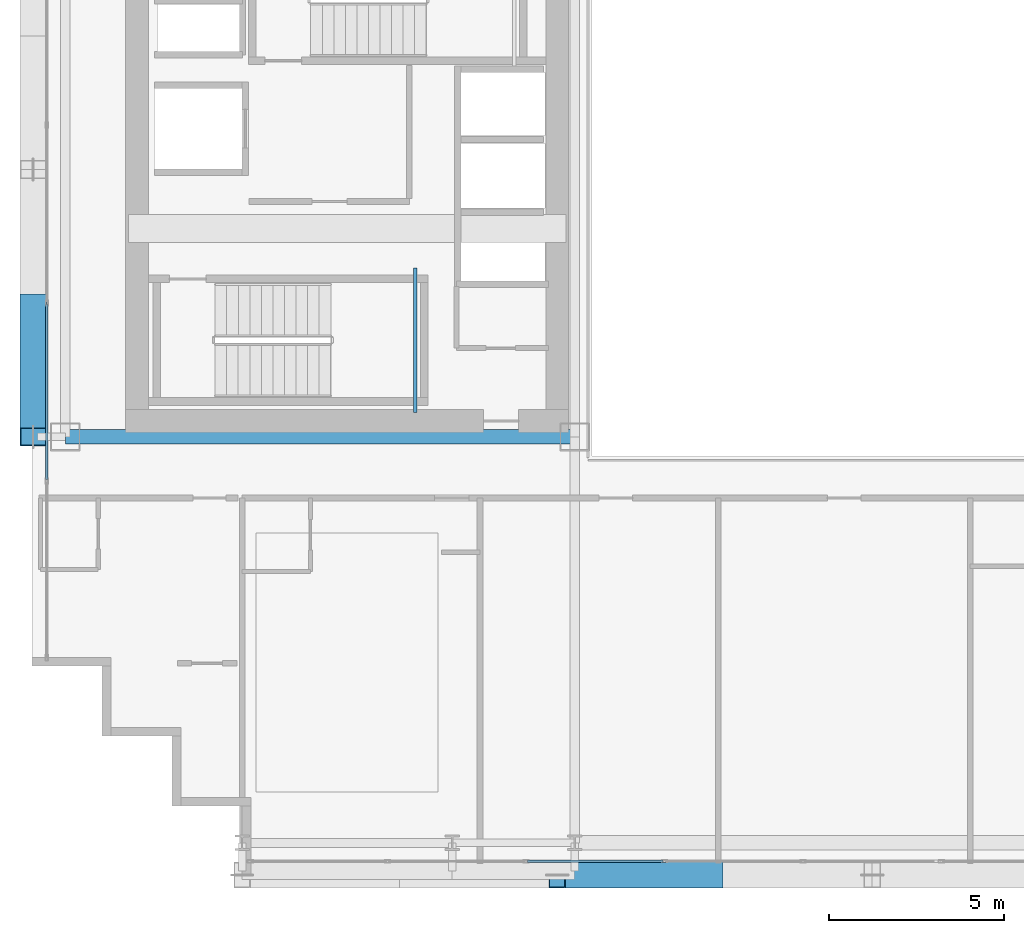
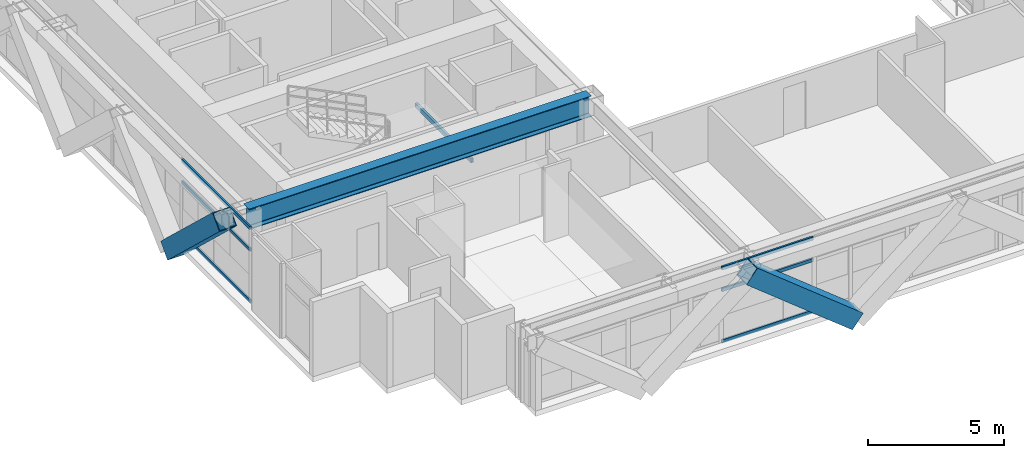
# One storey, part 4 of 35: 8 members, 2 beams, 2 elements without a shape of their own.
"""IFC4 building model written with IfcOpenShell, lengths in metres."""

from ifc_helpers import new_model, si_unit, direction, frame, origin, origin_2d, place, context, subcontext, project, spatial, hollow_rectangle, i_section, extrude, source, transform, mapped, material, layer, layer_set, material_profile, profile_set, type_object, element, aggregate, save


model = new_model("IFC4")

# Units and contexts
model_context = context("Model", 3, precision=1e-05, world=origin(), true_north=direction((0.0, 1.0)))
body_context = subcontext(model_context, "Body", "Model", "MODEL_VIEW")
ifc_project = project(units=[si_unit("LENGTHUNIT", "METRE"), si_unit("AREAUNIT", "SQUARE_METRE"), si_unit("VOLUMEUNIT", "CUBIC_METRE"), si_unit("PLANEANGLEUNIT", "RADIAN"), si_unit("MASSUNIT", "GRAM", prefix="KILO")], contexts=[model_context])

# Site, building, storey
site_placement = place(None, origin())
site = spatial("IfcSite", under=ifc_project, at=site_placement, CompositionType="ELEMENT")
building_placement = place(site_placement, origin())
building = spatial("IfcBuilding", under=site, at=building_placement, Name="Ocotamira Hotel", CompositionType="ELEMENT")
storey_placement = place(building_placement, frame((0.0, 0.0, 144.0)))
storey = spatial("IfcBuildingStorey", under=building, at=storey_placement, Name="L36", CompositionType="ELEMENT", Elevation=144.0)

# Beams
ifc_material_1 = material(Name="Steel ASTM A500 Grade C", Category="steel")
ifc_material_profile_1 = material_profile(ifc_material_1, hollow_rectangle(XDim=0.10009765625, YDim=0.199951171875, WallThickness=0.008056640625, at=origin_2d()), Name="HSS200X100X8")
ifc_profile_set_1 = profile_set([ifc_material_profile_1], Name="Steel ASTM A500 Grade C")
beam_type_1 = type_object("IfcBeamType", Name="BM-STLDG-HSS200", PredefinedType="BEAM", material=ifc_profile_set_1)
shared_shape_1 = source(origin(), body_context, "Body", "SweptSolid", [
    extrude(hollow_rectangle(XDim=0.10009765625, YDim=0.199951171875, WallThickness=0.008056640625, at=origin_2d()), origin(), (0.0, 0.0, 1.0), 4.1201171875),
])
beam_1_placement = place(storey_placement, frame((18.949951171875, 15.25, 1.5), z_axis=(0.0, 1.0, 0.0), x_axis=(-1.0, 0.0, 0.0)))
element("IfcBeam", 1, at=beam_1_placement, inside=storey, type_object=beam_type_1, Name="L36 Stair ST-1 Landing Bearer 1", PredefinedType="BEAM", context=body_context, shape_type="MappedRepresentation", body=[
    mapped(shared_shape_1, transform((0.0, 0.0, 0.0), scale=1.0)),
])
ifc_material_2 = material(Name="Steel ASTM A992 Grade 50", Category="steel")
ifc_material_profile_2 = material_profile(ifc_material_2, i_section(OverallWidth=0.41796875, OverallDepth=0.927001953125, WebThickness=0.019287109375, FlangeThickness=0.031982421875, FilletRadius=0.02392578125, at=origin_2d()), Name="W36X231")
ifc_profile_set_2 = profile_set([ifc_material_profile_2], Name="Steel ASTM A992 Grade 50")
beam_type_2 = type_object("IfcBeamType", Name="BM-GIRD-W36X231", PredefinedType="BEAM", material=ifc_profile_set_2)
shared_shape_2 = source(origin(), body_context, "Body", "SweptSolid", [
    extrude(i_section(OverallWidth=0.41796875, OverallDepth=0.927001953125, WebThickness=0.019287109375, FlangeThickness=0.031982421875, FilletRadius=0.02392578125, at=origin_2d()), origin(), (0.0, 0.0, 1.0), 14.550048828125),
])
beam_2_placement = place(storey_placement, frame((8.949951171875, 14.550048828125, 2.896484375), z_axis=(1.0, 0.0, 0.0), x_axis=(0.0, 1.0, 0.0)))
element("IfcBeam", 2, at=beam_2_placement, inside=storey, type_object=beam_type_2, Name="L36 Girder Y14.55 X8.95-23.5", PredefinedType="BEAM", context=body_context, shape_type="MappedRepresentation", body=[
    mapped(shared_shape_2, transform((0.0, 0.0, 0.0), scale=1.0)),
])

# Members
ifc_material_3 = material(Name="Pale-metal coated steel ASTM A913 Grade 65", Category="steel")
ifc_material_profile_3 = material_profile(ifc_material_3, hollow_rectangle(XDim=0.75, YDim=0.75, WallThickness=0.028076171875, at=origin_2d()), Name="BOX750X750X28")
ifc_profile_set_3 = profile_set([ifc_material_profile_3], Name="Pale-metal coated steel ASTM A913 Grade 65")
member_type_1 = type_object("IfcMemberType", Name="MEM-EXO-BOX750", PredefinedType="BRACE", material=ifc_profile_set_3)
shared_shape_3 = source(origin(), body_context, "Body", "SweptSolid", [
    extrude(hollow_rectangle(XDim=0.75, YDim=0.75, WallThickness=0.028076171875, at=origin_2d()), origin(), (0.0, 0.0, 1.0), 5.762939453125),
])
member_1_placement = place(storey_placement, frame((27.5, 2.030029296875, -0.489990234375), z_axis=(-0.780860543151, 0.0, 0.624705380279), x_axis=(0.0, -1.0, 0.0)))
element("IfcMember", 3, at=member_1_placement, inside=storey, type_object=member_type_1, Name="L36 Exoskeleton Diagrid S1.1", PredefinedType="BRACE", context=body_context, shape_type="MappedRepresentation", body=[
    mapped(shared_shape_3, transform((0.0, 0.0, 0.0), scale=1.0)),
])
shared_shape_4 = source(origin(), body_context, "Body", "SweptSolid", [
    extrude(hollow_rectangle(XDim=0.75, YDim=0.75, WallThickness=0.028076171875, at=origin_2d()), origin(), (0.0, 0.0, 1.0), 5.24658203125),
])
member_2_placement = place(storey_placement, frame((8.030029296875, 18.36669921875, -0.489990234375), z_axis=(0.0, -0.727442733726, 0.686168397078), x_axis=(1.0, 0.0, 0.0)))
element("IfcMember", 4, at=member_2_placement, inside=storey, type_object=member_type_1, Name="L36 Exoskeleton Diagrid W0.1", PredefinedType="BRACE", context=body_context, shape_type="MappedRepresentation", body=[
    mapped(shared_shape_4, transform((0.0, 0.0, 0.0), scale=1.0)),
])

# Curtain wall, members
ifc_material_4 = material(Name="Anodised pale-metal aluminium and solar glass", Category="aluminium")
ifc_layer = layer(ifc_material_4, 0.179931640625)
ifc_layer_set = layer_set([ifc_layer], Name="Anodised pale-metal aluminium and solar glass")
curtain_wall_type = type_object("IfcCurtainWallType", Name="CW-SYS3-Z2", PredefinedType="NOTDEFINED", material=ifc_layer_set)
curtain_wall_1_placement = place(storey_placement, origin())
curtain_wall_1 = element("IfcCurtainWall", 5, at=curtain_wall_1_placement, inside=storey, type_object=curtain_wall_type, Name="L36 Curtain Wall CW-3 CW-L36-S1", PredefinedType="NOTDEFINED")
ifc_material_5 = material(Name="Anodised pale-metal aluminium 6063-T6", Category="aluminium")
ifc_material_profile_4 = material_profile(ifc_material_5, hollow_rectangle(XDim=0.074951171875, YDim=0.14990234375, WallThickness=0.006103515625, at=origin_2d()), Name="HSS150X75X6")
ifc_profile_set_4 = profile_set([ifc_material_profile_4], Name="Anodised pale-metal aluminium 6063-T6")
member_type_2 = type_object("IfcMemberType", Name="CWT-150X75", PredefinedType="USERDEFINED", material=ifc_profile_set_4)
shared_shape_5 = source(origin(), body_context, "Body", "SweptSolid", [
    extrude(hollow_rectangle(XDim=0.074951171875, YDim=0.14990234375, WallThickness=0.006103515625, at=origin_2d()), origin(), (0.0, 0.0, 1.0), 3.87548828125),
])
member_3_placement = place(storey_placement, frame((22.151123046875, 2.419921875, 0.03759765625), z_axis=(1.0, 0.0, 0.0), x_axis=(0.0, 1.0, 0.0)))
member_3 = element("IfcMember", 6, at=member_3_placement, type_object=member_type_2, Name="CW-3 transom 3.1", ObjectType="TRANSOM", PredefinedType="USERDEFINED", context=body_context, shape_type="MappedRepresentation", body=[
    mapped(shared_shape_5, transform((0.0, 0.0, 0.0), scale=1.0)),
])
member_4_placement = place(storey_placement, frame((22.151123046875, 2.419921875, 2.35009765625), z_axis=(1.0, 0.0, 0.0), x_axis=(0.0, 1.0, 0.0)))
member_4 = element("IfcMember", 7, at=member_4_placement, type_object=member_type_2, Name="CW-3 transom 3.2", ObjectType="TRANSOM", PredefinedType="USERDEFINED", context=body_context, shape_type="MappedRepresentation", body=[
    mapped(shared_shape_5, transform((0.0, 0.0, 0.0), scale=1.0)),
])
member_5_placement = place(storey_placement, frame((22.151123046875, 2.419921875, 3.322509765625), z_axis=(1.0, 0.0, 0.0), x_axis=(0.0, 1.0, 0.0)))
member_5 = element("IfcMember", 8, at=member_5_placement, type_object=member_type_2, Name="CW-3 transom 3.3", ObjectType="TRANSOM", PredefinedType="USERDEFINED", context=body_context, shape_type="MappedRepresentation", body=[
    mapped(shared_shape_5, transform((0.0, 0.0, 0.0), scale=1.0)),
])
aggregate(curtain_wall_1, [member_3, member_4, member_5])

curtain_wall_2_placement = place(storey_placement, origin())
curtain_wall_2 = element("IfcCurtainWall", 9, at=curtain_wall_2_placement, inside=storey, type_object=curtain_wall_type, Name="L36 Curtain Wall CW-3 CW-L36-W", PredefinedType="NOTDEFINED")
shared_shape_6 = source(origin(), body_context, "Body", "SweptSolid", [
    extrude(hollow_rectangle(XDim=0.074951171875, YDim=0.14990234375, WallThickness=0.006103515625, at=origin_2d()), origin(), (0.0, 0.0, 1.0), 5.005859375),
])
member_6_placement = place(storey_placement, frame((8.419921875, 13.32568359375, 0.03759765625), z_axis=(0.0, 1.0, 0.0), x_axis=(-1.0, 0.0, 0.0)))
member_6 = element("IfcMember", 10, at=member_6_placement, type_object=member_type_2, Name="CW-3 transom 2.1", ObjectType="TRANSOM", PredefinedType="USERDEFINED", context=body_context, shape_type="MappedRepresentation", body=[
    mapped(shared_shape_6, transform((0.0, 0.0, 0.0), scale=1.0)),
])
member_7_placement = place(storey_placement, frame((8.419921875, 13.32568359375, 2.35009765625), z_axis=(0.0, 1.0, 0.0), x_axis=(-1.0, 0.0, 0.0)))
member_7 = element("IfcMember", 11, at=member_7_placement, type_object=member_type_2, Name="CW-3 transom 2.2", ObjectType="TRANSOM", PredefinedType="USERDEFINED", context=body_context, shape_type="MappedRepresentation", body=[
    mapped(shared_shape_6, transform((0.0, 0.0, 0.0), scale=1.0)),
])
member_8_placement = place(storey_placement, frame((8.419921875, 13.32568359375, 3.322509765625), z_axis=(0.0, 1.0, 0.0), x_axis=(-1.0, 0.0, 0.0)))
member_8 = element("IfcMember", 12, at=member_8_placement, type_object=member_type_2, Name="CW-3 transom 2.3", ObjectType="TRANSOM", PredefinedType="USERDEFINED", context=body_context, shape_type="MappedRepresentation", body=[
    mapped(shared_shape_6, transform((0.0, 0.0, 0.0), scale=1.0)),
])
aggregate(curtain_wall_2, [member_6, member_7, member_8])

save(model, "model.ifc")
